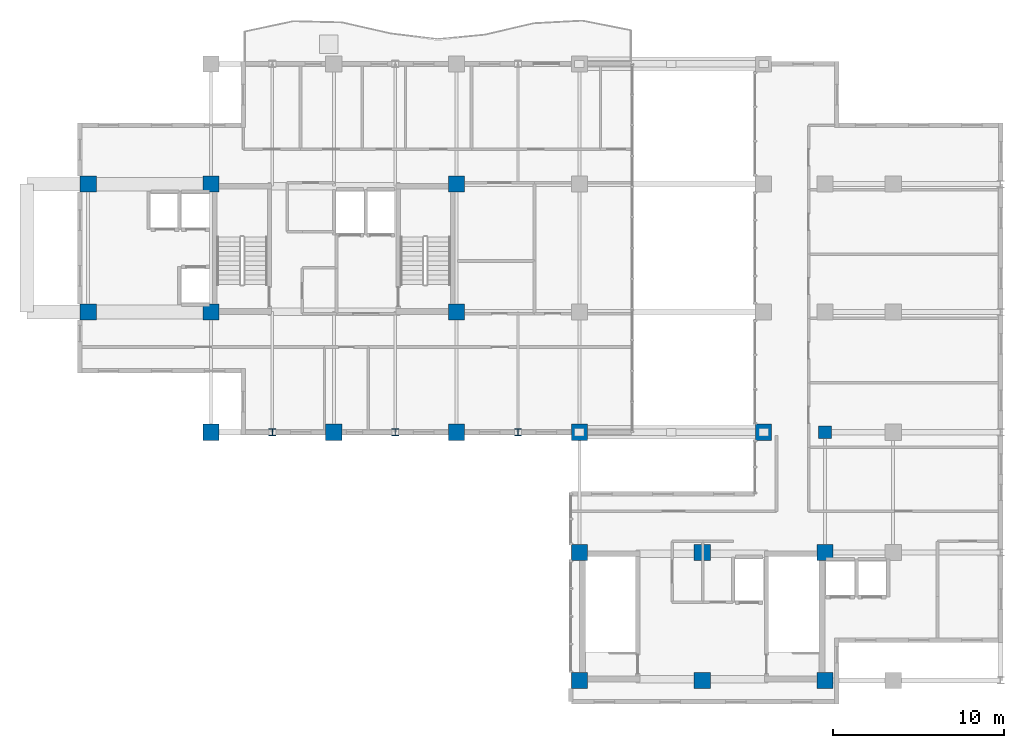
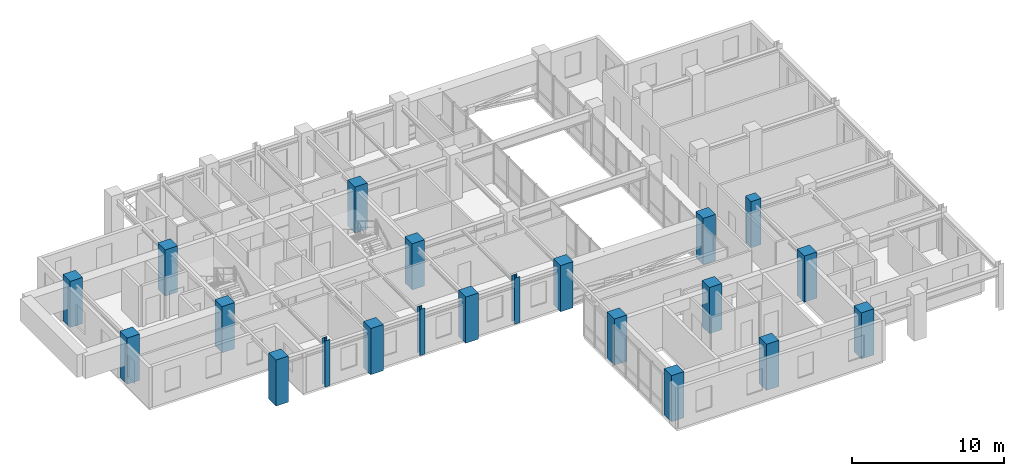
# One storey, part 1 of 23: 21 columns.
"""IFC4 building model written with IfcOpenShell, lengths in metres."""

from ifc_helpers import new_model, si_unit, direction, frame, origin, origin_2d, place, context, subcontext, project, spatial, rectangle, i_section, extrude, source, transform, mapped, material, material_profile, profile_set, type_object, element, save


model = new_model("IFC4")

# Units and contexts
model_context = context("Model", 3, precision=1e-05, world=origin(), true_north=direction((0.0, 1.0)))
body_context = subcontext(model_context, "Body", "Model", "MODEL_VIEW")
ifc_project = project(units=[si_unit("LENGTHUNIT", "METRE"), si_unit("AREAUNIT", "SQUARE_METRE"), si_unit("VOLUMEUNIT", "CUBIC_METRE"), si_unit("PLANEANGLEUNIT", "RADIAN"), si_unit("MASSUNIT", "GRAM", prefix="KILO")], contexts=[model_context])

# Site, building, storey
site_placement = place(None, origin())
site = spatial("IfcSite", under=ifc_project, at=site_placement, CompositionType="ELEMENT")
building_placement = place(site_placement, origin())
building = spatial("IfcBuilding", under=site, at=building_placement, Name="Kaliganga Portal Commons", CompositionType="ELEMENT")
storey_placement = place(building_placement, frame((0.0, 0.0, 246.199951171875)))
storey = spatial("IfcBuildingStorey", under=building, at=storey_placement, Name="L63", CompositionType="ELEMENT", Elevation=246.199951171875)

# Columns
ifc_material_1 = material(Name="Concrete C60/75", Category="concrete")
ifc_material_profile_1 = material_profile(ifc_material_1, rectangle(XDim=0.75, YDim=0.75, at=origin_2d()), Name="RC 750x750")
ifc_profile_set_1 = profile_set([ifc_material_profile_1], Name="Concrete C60/75")
column_type_1 = type_object("IfcColumnType", Name="COL-PILASTER-RC", PredefinedType="PILASTER", material=ifc_profile_set_1)
shared_shape_1 = source(origin(), body_context, "Body", "SweptSolid", [
    extrude(rectangle(XDim=0.75, YDim=0.75, at=origin_2d()), origin(), (0.0, 0.0, 1.0), 3.699951171875),
])
column_placement = place(storey_placement, frame((50.39990234375, 21.60009765625, 0.0), z_axis=(0.0, 0.0, 1.0), x_axis=(1.0, 0.0, 0.0)))
element("IfcColumn", 1, at=column_placement, inside=storey, type_object=column_type_1, Name="Column CP-01 L63", PredefinedType="PILASTER", context=body_context, shape_type="MappedRepresentation", body=[
    mapped(shared_shape_1, transform((0.0, 0.0, 0.0), x_axis=(1.0, 0.0, 0.0), y_axis=(0.0, 1.0, 0.0), z_axis=(0.0, 0.0, 1.0), scale=1.0)),
])
ifc_material_2 = material(Name="Concrete C50/60", Category="concrete")
ifc_material_profile_2 = material_profile(ifc_material_2, rectangle(XDim=0.949951171875, YDim=0.949951171875, at=origin_2d()), Name="RC 950x950")
ifc_profile_set_2 = profile_set([ifc_material_profile_2], Name="Concrete C50/60")
column_type_2 = type_object("IfcColumnType", Name="COL-MEGA-Z4", PredefinedType="COLUMN", material=ifc_profile_set_2)
shared_shape_2 = source(origin(), body_context, "Body", "SweptSolid", [
    extrude(rectangle(XDim=0.949951171875, YDim=0.949951171875, at=origin_2d()), origin(), (0.0, 0.0, 1.0), 3.699951171875),
])
for number, where, z_axis, x_axis, name in (
    (2, (7.199951171875, 28.64990234375, 0.0), (0.0, 0.0, 1.0), (1.0, 0.0, 0.0), "Column MC-05 L63"),
    (3, (7.199951171875, 36.14990234375, 0.0), (0.0, 0.0, 1.0), (1.0, 0.0, 0.0), "Column MC-05 L63"),
    (4, (14.39990234375, 21.60009765625, 0.0), (0.0, 0.0, 1.0), (1.0, 0.0, 0.0), "Column MC-05 L63"),
    (5, (14.39990234375, 28.64990234375, 0.0), (0.0, 0.0, 1.0), (1.0, 0.0, 0.0), "Column MC-05 L63"),
    (6, (14.39990234375, 36.14990234375, 0.0), (0.0, 0.0, 1.0), (1.0, 0.0, 0.0), "Column MC-05 L63"),
    (7, (21.60009765625, 21.60009765625, 0.0), (0.0, 0.0, 1.0), (1.0, 0.0, 0.0), "Column MC-05 L63"),
    (8, (28.800048828125, 21.60009765625, 0.0), (0.0, 0.0, 1.0), (1.0, 0.0, 0.0), "Column MC-05 L63"),
    (9, (28.800048828125, 28.64990234375, 0.0), (0.0, 0.0, 1.0), (1.0, 0.0, 0.0), "Column MC-05 L63"),
    (10, (28.800048828125, 36.14990234375, 0.0), (0.0, 0.0, 1.0), (1.0, 0.0, 0.0), "Column MC-05 L63"),
    (11, (36.0, 21.60009765625, 0.0), (0.0, 0.0, 1.0), (1.0, 0.0, 0.0), "Column MC-05 L63"),
    (12, (46.800048828125, 21.60009765625, 0.0), (0.0, 0.0, 1.0), (1.0, 0.0, 0.0), "Column MC-05 L63"),
    (13, (36.0, 7.050048828125, 0.0), (0.0, 0.0, 1.0), (1.0, 0.0, 0.0), "Column MC-05 L63"),
    (14, (36.0, 14.550048828125, 0.0), (0.0, 0.0, 1.0), (1.0, 0.0, 0.0), "Column MC-05 L63"),
    (15, (43.199951171875, 7.050048828125, 0.0), (0.0, 0.0, 1.0), (1.0, 0.0, 0.0), "Column MC-05 L63"),
    (16, (43.199951171875, 14.550048828125, 0.0), (0.0, 0.0, 1.0), (1.0, 0.0, 0.0), "Column MC-05 L63"),
    (17, (50.39990234375, 7.050048828125, 0.0), (0.0, 0.0, 1.0), (1.0, 0.0, 0.0), "Column MC-05 L63"),
    (18, (50.39990234375, 14.550048828125, 0.0), (0.0, 0.0, 1.0), (1.0, 0.0, 0.0), "Column MC-05 L63"),
):
    element("IfcColumn", number, at=place(storey_placement, frame(where, z_axis=z_axis, x_axis=x_axis)), inside=storey, type_object=column_type_2, Name=name, PredefinedType="COLUMN", context=body_context, shape_type="MappedRepresentation", body=[
        mapped(shared_shape_2, transform((0.0, 0.0, 0.0), x_axis=(1.0, 0.0, 0.0), y_axis=(0.0, 1.0, 0.0), z_axis=(0.0, 0.0, 1.0), scale=1.0)),
    ])
ifc_material_3 = material(Name="Structural steel S355J2", Category="steel")
ifc_material_profile_3 = material_profile(ifc_material_3, i_section(OverallWidth=0.39892578125, OverallDepth=0.39990234375, WebThickness=0.017333984375, FlangeThickness=0.0234375, FilletRadius=0.014892578125, at=origin_2d()), Name="HD 400x287")
ifc_profile_set_3 = profile_set([ifc_material_profile_3], Name="Structural steel S355J2 wide-flange")
column_type_3 = type_object("IfcColumnType", Name="COL-TUBE-B4", PredefinedType="COLUMN", material=ifc_profile_set_3)
shared_shape_3 = source(origin(), body_context, "Body", "SweptSolid", [
    extrude(i_section(OverallWidth=0.39892578125, OverallDepth=0.39990234375, WebThickness=0.017333984375, FlangeThickness=0.0234375, FilletRadius=0.014892578125, at=origin_2d()), origin(), (0.0, 0.0, 1.0), 3.699951171875),
])
for number, where, z_axis, x_axis, name in (
    (19, (18.0, 21.60009765625, 0.0), (0.0, 0.0, 1.0), (1.0, 0.0, 0.0), "Column TC-04 L63"),
    (20, (25.199951171875, 21.60009765625, 0.0), (0.0, 0.0, 1.0), (1.0, 0.0, 0.0), "Column TC-04 L63"),
    (21, (32.39990234375, 21.60009765625, 0.0), (0.0, 0.0, 1.0), (1.0, 0.0, 0.0), "Column TC-04 L63"),
):
    element("IfcColumn", number, at=place(storey_placement, frame(where, z_axis=z_axis, x_axis=x_axis)), inside=storey, type_object=column_type_3, Name=name, PredefinedType="COLUMN", context=body_context, shape_type="MappedRepresentation", body=[
        mapped(shared_shape_3, transform((0.0, 0.0, 0.0), x_axis=(1.0, 0.0, 0.0), y_axis=(0.0, 1.0, 0.0), z_axis=(0.0, 0.0, 1.0), scale=1.0)),
    ])

save(model, "model.ifc")
